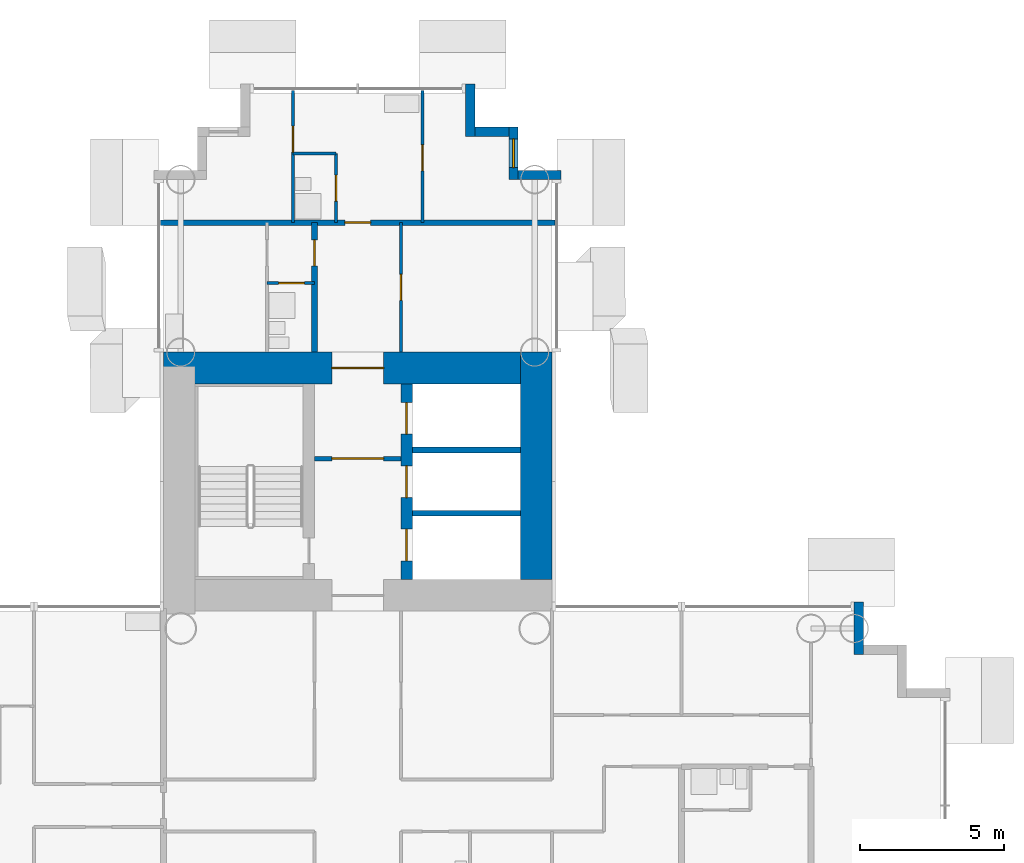
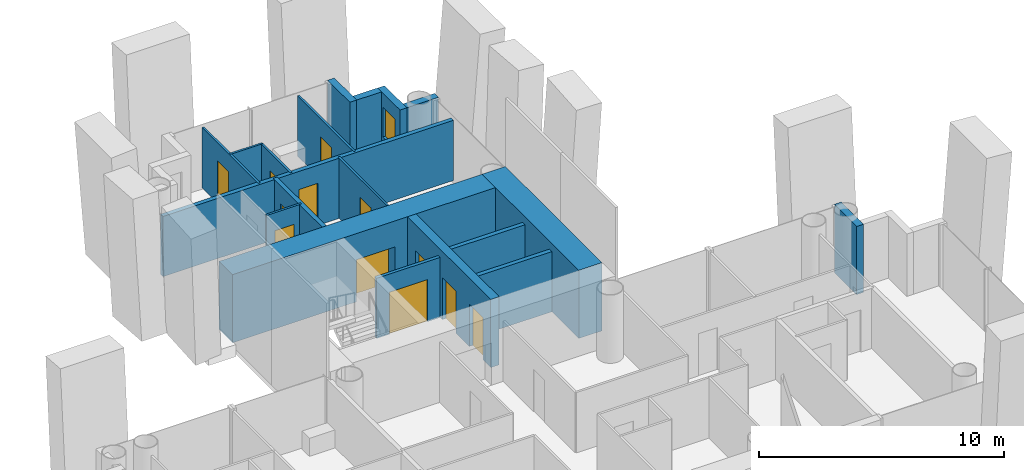
# One storey, part 17 of 25: 19 walls, 12 doors, 1 window, 13 openings.
"""IFC4 building model written with IfcOpenShell, lengths in metres."""

from ifc_helpers import new_model, si_unit, direction, frame, frame_2d, origin, place, context, subcontext, project, spatial, rectangle, extrude, material, layer, layer_set, type_object, element, fill, save


model = new_model("IFC4")

# Units and contexts
model_context = context("Model", 3, precision=1e-05, world=origin(), true_north=direction((0.0, 1.0)))
body_context = subcontext(model_context, "Body", "Model", "MODEL_VIEW")
ifc_project = project(units=[si_unit("LENGTHUNIT", "METRE"), si_unit("AREAUNIT", "SQUARE_METRE"), si_unit("VOLUMEUNIT", "CUBIC_METRE"), si_unit("PLANEANGLEUNIT", "RADIAN"), si_unit("MASSUNIT", "GRAM", prefix="KILO")], contexts=[model_context])

# Site, building, storey
site_placement = place(None, origin())
site = spatial("IfcSite", under=ifc_project, at=site_placement, CompositionType="ELEMENT")
building_placement = place(site_placement, origin())
building = spatial("IfcBuilding", under=site, at=building_placement, Name="Ipe Terrace Towers", CompositionType="ELEMENT")
storey_placement = place(building_placement, frame((0.0, 0.0, 58.5)))
storey = spatial("IfcBuildingStorey", under=building, at=storey_placement, Name="L15", CompositionType="ELEMENT", Elevation=58.5)

# Walls
ifc_material_1 = material(Name="Concrete C40/50 with buff precast cladding", Category="concrete")
ifc_layer_1 = layer(ifc_material_1, 0.320068359375)
ifc_layer_set_1 = layer_set([ifc_layer_1], Name="BUFF CLADDING WALL 320")
wall_type_1 = type_object("IfcWallType", Name="BUFF CLADDING WALL 320", PredefinedType="STANDARD", material=ifc_layer_set_1)
wall_1_placement = place(storey_placement, frame((53.409912109375, 5.25, -0.300048828125), z_axis=(0.0, 0.0, 1.0), x_axis=(0.0, 1.0, 0.0)))
element("IfcWall", 1, at=wall_1_placement, inside=storey, type_object=wall_type_1, Name="T2-W-L15-16a wall", PredefinedType="STANDARD", context=body_context, shape_type="SweptSolid", body=[
    extrude(rectangle(XDim=1.820068359375, YDim=0.320068359375, at=frame_2d((0.91015625, 0.0))), origin(), (0.0, 0.0, 1.0), 3.400146484375),
])
wall_2_placement = place(storey_placement, frame((43.070068359375, 21.909912109375, -0.300048828125), z_axis=(0.0, 0.0, 1.0), x_axis=(-1.0, 0.0, 0.0)))
element("IfcWall", 2, at=wall_2_placement, inside=storey, type_object=wall_type_1, Name="T2-W-L15-21a wall", PredefinedType="STANDARD", context=body_context, shape_type="SweptSolid", body=[
    extrude(rectangle(XDim=1.5, YDim=0.320068359375, at=frame_2d((0.75, 0.0))), origin(), (0.0, 0.0, 1.0), 3.400146484375),
])

# Wall, opening, window
wall_3_placement = place(storey_placement, frame((41.409912109375, 21.75, -0.300048828125), z_axis=(0.0, 0.0, 1.0), x_axis=(0.0, 1.0, 0.0)))
wall_3 = element("IfcWall", 3, at=wall_3_placement, inside=storey, type_object=wall_type_1, Name="T2-W-L15-22a wall", PredefinedType="STANDARD", context=body_context, shape_type="SweptSolid", body=[
    extrude(rectangle(XDim=1.820068359375, YDim=0.320068359375, at=frame_2d((0.91015625, 0.0))), origin(), (0.0, 0.0, 1.0), 3.400146484375),
])
opening_1_placement = place(wall_3_placement, frame((0.409912109375, 0.0, 1.199951171875)))
opening_1 = element("IfcOpeningElement", 4, at=opening_1_placement, cuts=wall_3, Name="Opening T2-W-05-L15-04", PredefinedType="OPENING", context=body_context, shape_type="SweptSolid", body=[
    extrude(rectangle(XDim=1.0, YDim=1.5, at=frame_2d((0.5, 0.75))), frame((0.0, 0.169921875, 0.0), z_axis=(0.0, -1.0, 0.0), x_axis=(1.0, 0.0, 0.0)), (0.0, 0.0, 1.0), 0.340087890625),
])
ifc_material_2 = material(Name="Glass, clear laminated", Category="glass")
window_type = type_object("IfcWindowType", Name="DWELLING WINDOW 1000 x 1500", PartitioningType="SINGLE_PANEL", PredefinedType="WINDOW", material=ifc_material_2)
window_placement = place(opening_1_placement, origin())
window = element("IfcWindow", 5, at=window_placement, inside=storey, type_object=window_type, Name="W-05 window", OverallHeight=1.5, OverallWidth=1.0, PartitioningType="SINGLE_PANEL", PredefinedType="WINDOW", context=body_context, shape_type="SweptSolid", body=[
    extrude(rectangle(XDim=1.0, YDim=1.5, at=frame_2d((0.5, 0.75))), frame((0.0, 0.030029296875, 0.0), z_axis=(0.0, -1.0, 0.0), x_axis=(1.0, 0.0, 0.0)), (0.0, 0.0, 1.0), 0.06005859375),
])
fill(opening_1, window)

# Walls
wall_4_placement = place(storey_placement, frame((41.25, 23.409912109375, -0.300048828125), z_axis=(0.0, 0.0, 1.0), x_axis=(-1.0, 0.0, 0.0)))
element("IfcWall", 6, at=wall_4_placement, inside=storey, type_object=wall_type_1, Name="T2-W-L15-23a wall", PredefinedType="STANDARD", context=body_context, shape_type="SweptSolid", body=[
    extrude(rectangle(XDim=1.179931640625, YDim=0.320068359375, at=frame_2d((0.58984375, 0.0))), origin(), (0.0, 0.0, 1.0), 3.400146484375),
])
wall_5_placement = place(storey_placement, frame((39.909912109375, 23.25, -0.300048828125), z_axis=(0.0, 0.0, 1.0), x_axis=(0.0, 1.0, 0.0)))
element("IfcWall", 7, at=wall_5_placement, inside=storey, type_object=wall_type_1, Name="T2-W-L15-24a wall", PredefinedType="STANDARD", context=body_context, shape_type="SweptSolid", body=[
    extrude(rectangle(XDim=1.820068359375, YDim=0.320068359375, at=frame_2d((0.91015625, 0.0))), origin(), (0.0, 0.0, 1.0), 3.400146484375),
])

# Wall, opening, door
ifc_material_3 = material(Name="Gypsum board partition", Category="plasterboard")
ifc_layer_2 = layer(ifc_material_3, 0.10009765625)
ifc_layer_set_2 = layer_set([ifc_layer_2], Name="Gypsum board partition 100 mm")
wall_type_2 = type_object("IfcWallType", Name="Gypsum board partition 100 mm", PredefinedType="PARTITIONING", material=ifc_layer_set_2)
wall_6_placement = place(storey_placement, frame((34.5, 18.14990234375, 0.0), z_axis=(0.0, 0.0, 1.0), x_axis=(-1.0, 0.0, 0.0)))
wall_6 = element("IfcWall", 8, at=wall_6_placement, inside=storey, type_object=wall_type_2, Name="Gypsum board partition T2 L15 W21", PredefinedType="PARTITIONING", context=body_context, shape_type="SweptSolid", body=[
    extrude(rectangle(XDim=1.64990234375, YDim=0.10009765625, at=frame_2d((0.824951171875, 0.0))), origin(), (0.0, 0.0, 1.0), 3.0),
])
opening_2_placement = place(wall_6_placement, frame((0.35009765625, 0.0, 0.0)))
opening_2 = element("IfcOpeningElement", 9, at=opening_2_placement, cuts=wall_6, Name="Opening T2-Z1D-24", PredefinedType="OPENING", context=body_context, shape_type="SweptSolid", body=[
    extrude(rectangle(XDim=0.89990234375, YDim=2.10009765625, at=frame_2d((0.449951171875, 1.050048828125))), frame((0.0, 0.06005859375, 0.0), z_axis=(0.0, -1.0, 0.0), x_axis=(1.0, 0.0, 0.0)), (0.0, 0.0, 1.0), 0.1201171875),
])
ifc_material_4 = material(Name="Timber door leaf", Category="wood")
door_type_1 = type_object("IfcDoorType", Name="Bathroom door 900 x 2100", OperationType="NOTDEFINED", PredefinedType="DOOR", material=ifc_material_4)
door_1_placement = place(opening_2_placement, origin())
door_1 = element("IfcDoor", 10, at=door_1_placement, inside=storey, type_object=door_type_1, Name="Bathroom door T2-Z1D-24", OperationType="SINGLE_SWING_RIGHT", OverallHeight=2.10009765625, OverallWidth=0.89990234375, PredefinedType="DOOR", context=body_context, shape_type="SweptSolid", body=[
    extrude(rectangle(XDim=0.89990234375, YDim=2.10009765625, at=frame_2d((0.449951171875, 1.050048828125))), frame((0.0, 0.02490234375, 0.0), z_axis=(0.0, -1.0, 0.0), x_axis=(1.0, 0.0, 0.0)), (0.0, 0.0, 1.0), 0.050048828125),
])
fill(opening_2, door_1)

# Wall
wall_7_placement = place(storey_placement, frame((35.25, 22.64990234375, 0.0), z_axis=(0.0, 0.0, 1.0), x_axis=(-1.0, 0.0, 0.0)))
element("IfcWall", 11, at=wall_7_placement, inside=storey, type_object=wall_type_2, Name="Gypsum board partition T2 L15 W23", PredefinedType="PARTITIONING", context=body_context, shape_type="SweptSolid", body=[
    extrude(rectangle(XDim=1.5, YDim=0.10009765625, at=frame_2d((0.75, 0.0))), origin(), (0.0, 0.0, 1.0), 3.0),
])

# Wall, opening, door
wall_8_placement = place(storey_placement, frame((38.25, 20.25, 0.0), z_axis=(0.0, 0.0, 1.0), x_axis=(0.0, 1.0, 0.0)))
wall_8 = element("IfcWall", 12, at=wall_8_placement, inside=storey, type_object=wall_type_2, Name="Gypsum board partition T2 L15 W35", PredefinedType="PARTITIONING", context=body_context, shape_type="SweptSolid", body=[
    extrude(rectangle(XDim=4.60009765625, YDim=0.10009765625, at=frame_2d((2.300048828125, 0.0))), origin(), (0.0, 0.0, 1.0), 3.0),
])
opening_3_placement = place(wall_8_placement, frame((1.800048828125, 0.0, 0.0)))
opening_3 = element("IfcOpeningElement", 13, at=opening_3_placement, cuts=wall_8, Name="Opening T2-Z1D-29", PredefinedType="OPENING", context=body_context, shape_type="SweptSolid", body=[
    extrude(rectangle(XDim=0.89990234375, YDim=2.10009765625, at=frame_2d((0.449951171875, 1.050048828125))), frame((0.0, 0.06005859375, 0.0), z_axis=(0.0, -1.0, 0.0), x_axis=(1.0, 0.0, 0.0)), (0.0, 0.0, 1.0), 0.1201171875),
])
ifc_material_5 = material(Name="Timber door leaf", Category="wood")
door_type_2 = type_object("IfcDoorType", Name="Bedroom door 900 x 2100", OperationType="NOTDEFINED", PredefinedType="DOOR", material=ifc_material_5)
door_2_placement = place(opening_3_placement, origin())
door_2 = element("IfcDoor", 14, at=door_2_placement, inside=storey, type_object=door_type_2, Name="Bedroom door T2-Z1D-29", OperationType="SINGLE_SWING_LEFT", OverallHeight=2.10009765625, OverallWidth=0.89990234375, PredefinedType="DOOR", context=body_context, shape_type="SweptSolid", body=[
    extrude(rectangle(XDim=0.89990234375, YDim=2.10009765625, at=frame_2d((0.449951171875, 1.050048828125))), frame((0.0, 0.02490234375, 0.0), z_axis=(0.0, -1.0, 0.0), x_axis=(1.0, 0.0, 0.0)), (0.0, 0.0, 1.0), 0.050048828125),
])
fill(opening_3, door_2)

wall_9_placement = place(storey_placement, frame((37.5, 15.75, 0.0), z_axis=(0.0, 0.0, 1.0), x_axis=(0.0, 1.0, 0.0)))
wall_9 = element("IfcWall", 15, at=wall_9_placement, inside=storey, type_object=wall_type_2, Name="Gypsum board partition T2 L15 W38", PredefinedType="PARTITIONING", context=body_context, shape_type="SweptSolid", body=[
    extrude(rectangle(XDim=4.5, YDim=0.10009765625, at=frame_2d((2.25, 0.0))), origin(), (0.0, 0.0, 1.0), 3.0),
])
opening_4_placement = place(wall_9_placement, frame((1.800048828125, 0.0, 0.0)))
opening_4 = element("IfcOpeningElement", 16, at=opening_4_placement, cuts=wall_9, Name="Opening T2-Z1D-25", PredefinedType="OPENING", context=body_context, shape_type="SweptSolid", body=[
    extrude(rectangle(XDim=0.89990234375, YDim=2.10009765625, at=frame_2d((0.449951171875, 1.050048828125))), frame((0.0, 0.06005859375, 0.0), z_axis=(0.0, -1.0, 0.0), x_axis=(1.0, 0.0, 0.0)), (0.0, 0.0, 1.0), 0.1201171875),
])
ifc_material_6 = material(Name="Timber door leaf", Category="wood")
door_type_3 = type_object("IfcDoorType", Name="Lounge door 900 x 2100", OperationType="NOTDEFINED", PredefinedType="DOOR", material=ifc_material_6)
door_3_placement = place(opening_4_placement, origin())
door_3 = element("IfcDoor", 17, at=door_3_placement, inside=storey, type_object=door_type_3, Name="Lounge door T2-Z1D-25", OperationType="SINGLE_SWING_RIGHT", OverallHeight=2.10009765625, OverallWidth=0.89990234375, PredefinedType="DOOR", context=body_context, shape_type="SweptSolid", body=[
    extrude(rectangle(XDim=0.89990234375, YDim=2.10009765625, at=frame_2d((0.449951171875, 1.050048828125))), frame((0.0, 0.02490234375, 0.0), z_axis=(0.0, -1.0, 0.0), x_axis=(1.0, 0.0, 0.0)), (0.0, 0.0, 1.0), 0.050048828125),
])
fill(opening_4, door_3)

wall_10_placement = place(storey_placement, frame((35.25, 20.25, 0.0), z_axis=(0.0, 0.0, 1.0), x_axis=(0.0, 1.0, 0.0)))
wall_10 = element("IfcWall", 18, at=wall_10_placement, inside=storey, type_object=wall_type_2, Name="Gypsum board partition T2 L15 W41", PredefinedType="PARTITIONING", context=body_context, shape_type="SweptSolid", body=[
    extrude(rectangle(XDim=2.39990234375, YDim=0.10009765625, at=frame_2d((1.199951171875, 0.0))), origin(), (0.0, 0.0, 1.0), 3.0),
])
opening_5_placement = place(wall_10_placement, frame((0.75, 0.0, 0.0)))
opening_5 = element("IfcOpeningElement", 19, at=opening_5_placement, cuts=wall_10, Name="Opening T2-Z1D-26", PredefinedType="OPENING", context=body_context, shape_type="SweptSolid", body=[
    extrude(rectangle(XDim=0.89990234375, YDim=2.10009765625, at=frame_2d((0.449951171875, 1.050048828125))), frame((0.0, 0.06005859375, 0.0), z_axis=(0.0, -1.0, 0.0), x_axis=(1.0, 0.0, 0.0)), (0.0, 0.0, 1.0), 0.1201171875),
])
door_4_placement = place(opening_5_placement, origin())
door_4 = element("IfcDoor", 20, at=door_4_placement, inside=storey, type_object=door_type_1, Name="Bathroom door T2-Z1D-26", OperationType="SINGLE_SWING_LEFT", OverallHeight=2.10009765625, OverallWidth=0.89990234375, PredefinedType="DOOR", context=body_context, shape_type="SweptSolid", body=[
    extrude(rectangle(XDim=0.89990234375, YDim=2.10009765625, at=frame_2d((0.449951171875, 1.050048828125))), frame((0.0, 0.02490234375, 0.0), z_axis=(0.0, -1.0, 0.0), x_axis=(1.0, 0.0, 0.0)), (0.0, 0.0, 1.0), 0.050048828125),
])
fill(opening_5, door_4)

wall_11_placement = place(storey_placement, frame((33.75, 20.25, 0.0), z_axis=(0.0, 0.0, 1.0), x_axis=(0.0, 1.0, 0.0)))
wall_11 = element("IfcWall", 21, at=wall_11_placement, inside=storey, type_object=wall_type_2, Name="Gypsum board partition T2 L15 W47", PredefinedType="PARTITIONING", context=body_context, shape_type="SweptSolid", body=[
    extrude(rectangle(XDim=4.60009765625, YDim=0.10009765625, at=frame_2d((2.300048828125, 0.0))), origin(), (0.0, 0.0, 1.0), 3.0),
])
opening_6_placement = place(wall_11_placement, frame((2.449951171875, 0.0, 0.0)))
opening_6 = element("IfcOpeningElement", 22, at=opening_6_placement, cuts=wall_11, Name="Opening T2-Z1D-28", PredefinedType="OPENING", context=body_context, shape_type="SweptSolid", body=[
    extrude(rectangle(XDim=0.89990234375, YDim=2.10009765625, at=frame_2d((0.449951171875, 1.050048828125))), frame((0.0, 0.06005859375, 0.0), z_axis=(0.0, -1.0, 0.0), x_axis=(1.0, 0.0, 0.0)), (0.0, 0.0, 1.0), 0.1201171875),
])
door_5_placement = place(opening_6_placement, origin())
door_5 = element("IfcDoor", 23, at=door_5_placement, inside=storey, type_object=door_type_2, Name="Bedroom door T2-Z1D-28", OperationType="SINGLE_SWING_LEFT", OverallHeight=2.10009765625, OverallWidth=0.89990234375, PredefinedType="DOOR", context=body_context, shape_type="SweptSolid", body=[
    extrude(rectangle(XDim=0.89990234375, YDim=2.10009765625, at=frame_2d((0.449951171875, 1.050048828125))), frame((0.0, 0.02490234375, 0.0), z_axis=(0.0, -1.0, 0.0), x_axis=(1.0, 0.0, 0.0)), (0.0, 0.0, 1.0), 0.050048828125),
])
fill(opening_6, door_5)

ifc_material_7 = material(Name="Gypsum board partition", Category="plasterboard")
ifc_layer_3 = layer(ifc_material_7, 0.14990234375)
ifc_layer_set_3 = layer_set([ifc_layer_3], Name="Gypsum board partition 150 mm")
wall_type_3 = type_object("IfcWallType", Name="Gypsum board partition 150 mm", PredefinedType="PARTITIONING", material=ifc_layer_set_3)
wall_12_placement = place(storey_placement, frame((37.5, 12.050048828125, 0.0), z_axis=(0.0, 0.0, 1.0), x_axis=(-1.0, 0.0, 0.0)))
wall_12 = element("IfcWall", 24, at=wall_12_placement, inside=storey, type_object=wall_type_3, Name="Gypsum board partition T2 L15 t2c1-lobby-wall", PredefinedType="PARTITIONING", context=body_context, shape_type="SweptSolid", body=[
    extrude(rectangle(XDim=3.0, YDim=0.14990234375, at=frame_2d((1.5, 0.0))), origin(), (0.0, 0.0, 1.0), 3.0),
])
opening_7_placement = place(wall_12_placement, frame((0.60009765625, 0.0, 0.0)))
opening_7 = element("IfcOpeningElement", 25, at=opening_7_placement, cuts=wall_12, Name="Opening T2C1-VD", PredefinedType="OPENING", context=body_context, shape_type="SweptSolid", body=[
    extrude(rectangle(XDim=1.800048828125, YDim=2.10009765625, at=frame_2d((0.89990234375, 1.050048828125))), frame((0.0, 0.0849609375, 0.0), z_axis=(0.0, -1.0, 0.0), x_axis=(1.0, 0.0, 0.0)), (0.0, 0.0, 1.0), 0.169921875),
])
ifc_material_8 = material(Name="Fire-rated timber door leaf", Category="wood")
door_type_4 = type_object("IfcDoorType", Name="Lobby door 1800 x 2100 FD60", OperationType="NOTDEFINED", PredefinedType="DOOR", material=ifc_material_8)
door_6_placement = place(opening_7_placement, origin())
door_6 = element("IfcDoor", 26, at=door_6_placement, inside=storey, type_object=door_type_4, Name="Lobby door T2C1-VD", OperationType="SINGLE_SWING_LEFT", OverallHeight=2.10009765625, OverallWidth=1.800048828125, PredefinedType="DOOR", context=body_context, shape_type="SweptSolid", body=[
    extrude(rectangle(XDim=1.800048828125, YDim=2.10009765625, at=frame_2d((0.89990234375, 1.050048828125))), frame((0.0, 0.02490234375, 0.0), z_axis=(0.0, -1.0, 0.0), x_axis=(1.0, 0.0, 0.0)), (0.0, 0.0, 1.0), 0.050048828125),
])
fill(opening_7, door_6)

# Walls
ifc_material_9 = material(Name="Gypsum board party wall", Category="plasterboard")
ifc_layer_4 = layer(ifc_material_9, 0.199951171875)
ifc_layer_set_4 = layer_set([ifc_layer_4], Name="Gypsum board party wall 200 mm")
wall_type_4 = type_object("IfcWallType", Name="Gypsum board party wall 200 mm", PredefinedType="SOLIDWALL", material=ifc_layer_set_4)
for number, where, z_axis, x_axis, name in (
    (27, (41.64990234375, 10.14990234375, 0.0), (0.0, 0.0, 1.0), (-1.0, 0.0, 0.0), "Gypsum board party wall T2 L15 t2c1-shaft-div1"),
    (28, (41.64990234375, 12.35009765625, 0.0), (0.0, 0.0, 1.0), (-1.0, 0.0, 0.0), "Gypsum board party wall T2 L15 t2c1-shaft-div2"),
):
    element("IfcWall", number, at=place(storey_placement, frame(where, z_axis=z_axis, x_axis=x_axis)), inside=storey, type_object=wall_type_4, Name=name, PredefinedType="SOLIDWALL", context=body_context, shape_type="SweptSolid", body=[
        extrude(rectangle(XDim=3.75, YDim=0.199951171875, at=frame_2d((1.875, 0.0))), origin(), (0.0, 0.0, 1.0), 3.0),
    ])

# Wall, opening, door
wall_13_placement = place(storey_placement, frame((42.85009765625, 20.25, 0.0), z_axis=(0.0, 0.0, 1.0), x_axis=(-1.0, 0.0, 0.0)))
wall_13 = element("IfcWall", 29, at=wall_13_placement, inside=storey, type_object=wall_type_4, Name="Gypsum board party wall T2 L15 W22", PredefinedType="SOLIDWALL", context=body_context, shape_type="SweptSolid", body=[
    extrude(rectangle(XDim=13.7001953125, YDim=0.199951171875, at=frame_2d((6.85009765625, 0.0))), origin(), (0.0, 0.0, 1.0), 3.0),
])
opening_8_placement = place(wall_13_placement, frame((6.39990234375, 0.0, 0.0)))
opening_8 = element("IfcOpeningElement", 30, at=opening_8_placement, cuts=wall_13, Name="Opening T2-Z1D-27", PredefinedType="OPENING", context=body_context, shape_type="SweptSolid", body=[
    extrude(rectangle(XDim=0.89990234375, YDim=2.10009765625, at=frame_2d((0.449951171875, 1.050048828125))), frame((0.0, 0.10986328125, 0.0), z_axis=(0.0, -1.0, 0.0), x_axis=(1.0, 0.0, 0.0)), (0.0, 0.0, 1.0), 0.219970703125),
])
ifc_material_10 = material(Name="Fire-rated timber door leaf", Category="wood")
door_type_5 = type_object("IfcDoorType", Name="Flat entrance door 900 x 2100 FD30S", OperationType="NOTDEFINED", PredefinedType="DOOR", material=ifc_material_10)
door_7_placement = place(opening_8_placement, origin())
door_7 = element("IfcDoor", 31, at=door_7_placement, inside=storey, type_object=door_type_5, Name="Flat entrance door T2-Z1D-27", OperationType="SINGLE_SWING_RIGHT", OverallHeight=2.10009765625, OverallWidth=0.89990234375, PredefinedType="DOOR", context=body_context, shape_type="SweptSolid", body=[
    extrude(rectangle(XDim=0.89990234375, YDim=2.10009765625, at=frame_2d((0.449951171875, 1.050048828125))), frame((0.0, 0.02490234375, 0.0), z_axis=(0.0, -1.0, 0.0), x_axis=(1.0, 0.0, 0.0)), (0.0, 0.0, 1.0), 0.050048828125),
])
fill(opening_8, door_7)

wall_14_placement = place(storey_placement, frame((34.5, 15.75, 0.0), z_axis=(0.0, 0.0, 1.0), x_axis=(0.0, 1.0, 0.0)))
wall_14 = element("IfcWall", 32, at=wall_14_placement, inside=storey, type_object=wall_type_4, Name="Gypsum board party wall T2 L15 W45", PredefinedType="SOLIDWALL", context=body_context, shape_type="SweptSolid", body=[
    extrude(rectangle(XDim=4.5, YDim=0.199951171875, at=frame_2d((2.25, 0.0))), origin(), (0.0, 0.0, 1.0), 3.0),
])
opening_9_placement = place(wall_14_placement, frame((3.0, 0.0, 0.0)))
opening_9 = element("IfcOpeningElement", 33, at=opening_9_placement, cuts=wall_14, Name="Opening T2-Z1D-22", PredefinedType="OPENING", context=body_context, shape_type="SweptSolid", body=[
    extrude(rectangle(XDim=0.89990234375, YDim=2.10009765625, at=frame_2d((0.449951171875, 1.050048828125))), frame((0.0, 0.10986328125, 0.0), z_axis=(0.0, -1.0, 0.0), x_axis=(1.0, 0.0, 0.0)), (0.0, 0.0, 1.0), 0.219970703125),
])
door_8_placement = place(opening_9_placement, origin())
door_8 = element("IfcDoor", 34, at=door_8_placement, inside=storey, type_object=door_type_5, Name="Flat entrance door T2-Z1D-22", OperationType="SINGLE_SWING_LEFT", OverallHeight=2.10009765625, OverallWidth=0.89990234375, PredefinedType="DOOR", context=body_context, shape_type="SweptSolid", body=[
    extrude(rectangle(XDim=0.89990234375, YDim=2.10009765625, at=frame_2d((0.449951171875, 1.050048828125))), frame((0.0, 0.02490234375, 0.0), z_axis=(0.0, -1.0, 0.0), x_axis=(1.0, 0.0, 0.0)), (0.0, 0.0, 1.0), 0.050048828125),
])
fill(opening_9, door_8)

# Wall
ifc_material_11 = material(Name="Concrete C60/75", Category="concrete")
ifc_layer_5 = layer(ifc_material_11, 1.10009765625)
ifc_layer_set_5 = layer_set([ifc_layer_5], Name="RW1100 CORE WALL 1100 C60-75")
wall_type_5 = type_object("IfcWallType", Name="RW1100 CORE WALL 1100 C60-75", PredefinedType="SHEAR", material=ifc_layer_set_5)
wall_15_placement = place(storey_placement, frame((42.199951171875, 7.85009765625, 0.0), z_axis=(0.0, 0.0, 1.0), x_axis=(0.0, 1.0, 0.0)))
element("IfcWall", 35, at=wall_15_placement, inside=storey, type_object=wall_type_5, Name="Core wall T2-C1-Z1-W02", PredefinedType="SHEAR", context=body_context, shape_type="SweptSolid", body=[
    extrude(rectangle(XDim=7.89990234375, YDim=1.10009765625, at=frame_2d((3.949951171875, 0.0))), origin(), (0.0, 0.0, 1.0), 3.39990234375),
])

# Wall, opening, door
wall_16_placement = place(storey_placement, frame((41.64990234375, 15.199951171875, 0.0), z_axis=(0.0, 0.0, 1.0), x_axis=(-1.0, 0.0, 0.0)))
wall_16 = element("IfcWall", 36, at=wall_16_placement, inside=storey, type_object=wall_type_5, Name="Core wall T2-C1-Z1-W03", PredefinedType="SHEAR", context=body_context, shape_type="SweptSolid", body=[
    extrude(rectangle(XDim=12.39990234375, YDim=1.10009765625, at=frame_2d((6.199951171875, 0.0))), origin(), (0.0, 0.0, 1.0), 3.39990234375),
])
opening_10_placement = place(wall_16_placement, frame((4.75, 0.0, 0.0)))
opening_10 = element("IfcOpeningElement", 37, at=opening_10_placement, cuts=wall_16, Name="Opening T2C1-FD", PredefinedType="OPENING", context=body_context, shape_type="SweptSolid", body=[
    extrude(rectangle(XDim=1.800048828125, YDim=2.10009765625, at=frame_2d((0.89990234375, 1.050048828125))), frame((0.0, 0.56005859375, 0.0), z_axis=(0.0, -1.0, 0.0), x_axis=(1.0, 0.0, 0.0)), (0.0, 0.0, 1.0), 1.1201171875),
])
ifc_material_12 = material(Name="Fire-rated timber door leaf", Category="wood")
door_type_6 = type_object("IfcDoorType", Name="Fire door 1800 x 2100 FD30S", OperationType="NOTDEFINED", PredefinedType="DOOR", material=ifc_material_12)
door_9_placement = place(opening_10_placement, origin())
door_9 = element("IfcDoor", 38, at=door_9_placement, inside=storey, type_object=door_type_6, Name="Fire door T2C1-FD", OperationType="SINGLE_SWING_LEFT", OverallHeight=2.10009765625, OverallWidth=1.800048828125, PredefinedType="DOOR", context=body_context, shape_type="SweptSolid", body=[
    extrude(rectangle(XDim=1.800048828125, YDim=2.10009765625, at=frame_2d((0.89990234375, 1.050048828125))), frame((0.0, 0.02490234375, 0.0), z_axis=(0.0, -1.0, 0.0), x_axis=(1.0, 0.0, 0.0)), (0.0, 0.0, 1.0), 0.050048828125),
])
fill(opening_10, door_9)

# Wall, openings, doors
ifc_material_13 = material(Name="Concrete C60/75", Category="concrete")
ifc_layer_6 = layer(ifc_material_13, 0.39990234375)
ifc_layer_set_6 = layer_set([ifc_layer_6], Name="RW400 CORE SPINE WALL 400 C60-75")
wall_type_6 = type_object("IfcWallType", Name="RW400 CORE SPINE WALL 400 C60-75", PredefinedType="SHEAR", material=ifc_layer_set_6)
wall_17_placement = place(storey_placement, frame((37.699951171875, 7.85009765625, 0.0), z_axis=(0.0, 0.0, 1.0), x_axis=(0.0, 1.0, 0.0)))
wall_17 = element("IfcWall", 39, at=wall_17_placement, inside=storey, type_object=wall_type_6, Name="Core spine wall T2-C1-Z1-SW2", PredefinedType="SHEAR", context=body_context, shape_type="SweptSolid", body=[
    extrude(rectangle(XDim=6.7998046875, YDim=0.39990234375, at=frame_2d((3.39990234375, 0.0))), origin(), (0.0, 0.0, 1.0), 3.39990234375),
])
opening_11_placement = place(wall_17_placement, frame((0.64990234375, 0.0, 0.0)))
opening_11 = element("IfcOpeningElement", 40, at=opening_11_placement, cuts=wall_17, Name="Opening T2C1-LD1", PredefinedType="OPENING", context=body_context, shape_type="SweptSolid", body=[
    extrude(rectangle(XDim=1.10009765625, YDim=2.10009765625, at=frame_2d((0.550048828125, 1.050048828125))), frame((0.0, 0.2099609375, 0.0), z_axis=(0.0, -1.0, 0.0), x_axis=(1.0, 0.0, 0.0)), (0.0, 0.0, 1.0), 0.419921875),
])
opening_12_placement = place(wall_17_placement, frame((2.85009765625, 0.0, 0.0)))
opening_12 = element("IfcOpeningElement", 41, at=opening_12_placement, cuts=wall_17, Name="Opening T2C1-LD2", PredefinedType="OPENING", context=body_context, shape_type="SweptSolid", body=[
    extrude(rectangle(XDim=1.10009765625, YDim=2.10009765625, at=frame_2d((0.550048828125, 1.050048828125))), frame((0.0, 0.2099609375, 0.0), z_axis=(0.0, -1.0, 0.0), x_axis=(1.0, 0.0, 0.0)), (0.0, 0.0, 1.0), 0.419921875),
])
opening_13_placement = place(wall_17_placement, frame((5.050048828125, 0.0, 0.0)))
opening_13 = element("IfcOpeningElement", 42, at=opening_13_placement, cuts=wall_17, Name="Opening T2C1-LD3", PredefinedType="OPENING", context=body_context, shape_type="SweptSolid", body=[
    extrude(rectangle(XDim=1.10009765625, YDim=2.10009765625, at=frame_2d((0.550048828125, 1.050048828125))), frame((0.0, 0.2099609375, 0.0), z_axis=(0.0, -1.0, 0.0), x_axis=(1.0, 0.0, 0.0)), (0.0, 0.0, 1.0), 0.419921875),
])
ifc_material_14 = material(Name="Fire-rated timber door leaf", Category="wood")
door_type_7 = type_object("IfcDoorType", Name="Sliding door 1100 x 2100 FD60", OperationType="SLIDING_TO_LEFT", PredefinedType="DOOR", material=ifc_material_14)
door_10_placement = place(opening_11_placement, origin())
door_10 = element("IfcDoor", 43, at=door_10_placement, inside=storey, type_object=door_type_7, Name="Sliding door T2C1-LD1", OperationType="SLIDING_TO_LEFT", OverallHeight=2.10009765625, OverallWidth=1.10009765625, PredefinedType="DOOR", context=body_context, shape_type="SweptSolid", body=[
    extrude(rectangle(XDim=1.10009765625, YDim=2.10009765625, at=frame_2d((0.550048828125, 1.050048828125))), frame((0.0, 0.02490234375, 0.0), z_axis=(0.0, -1.0, 0.0), x_axis=(1.0, 0.0, 0.0)), (0.0, 0.0, 1.0), 0.050048828125),
])
fill(opening_11, door_10)
door_11_placement = place(opening_12_placement, origin())
door_11 = element("IfcDoor", 44, at=door_11_placement, inside=storey, type_object=door_type_7, Name="Sliding door T2C1-LD2", OperationType="SLIDING_TO_LEFT", OverallHeight=2.10009765625, OverallWidth=1.10009765625, PredefinedType="DOOR", context=body_context, shape_type="SweptSolid", body=[
    extrude(rectangle(XDim=1.10009765625, YDim=2.10009765625, at=frame_2d((0.550048828125, 1.050048828125))), frame((0.0, 0.02490234375, 0.0), z_axis=(0.0, -1.0, 0.0), x_axis=(1.0, 0.0, 0.0)), (0.0, 0.0, 1.0), 0.050048828125),
])
fill(opening_12, door_11)
door_12_placement = place(opening_13_placement, origin())
door_12 = element("IfcDoor", 45, at=door_12_placement, inside=storey, type_object=door_type_7, Name="Sliding door T2C1-LD3", OperationType="SLIDING_TO_LEFT", OverallHeight=2.10009765625, OverallWidth=1.10009765625, PredefinedType="DOOR", context=body_context, shape_type="SweptSolid", body=[
    extrude(rectangle(XDim=1.10009765625, YDim=2.10009765625, at=frame_2d((0.550048828125, 1.050048828125))), frame((0.0, 0.02490234375, 0.0), z_axis=(0.0, -1.0, 0.0), x_axis=(1.0, 0.0, 0.0)), (0.0, 0.0, 1.0), 0.050048828125),
])
fill(opening_13, door_12)

save(model, "model.ifc")
